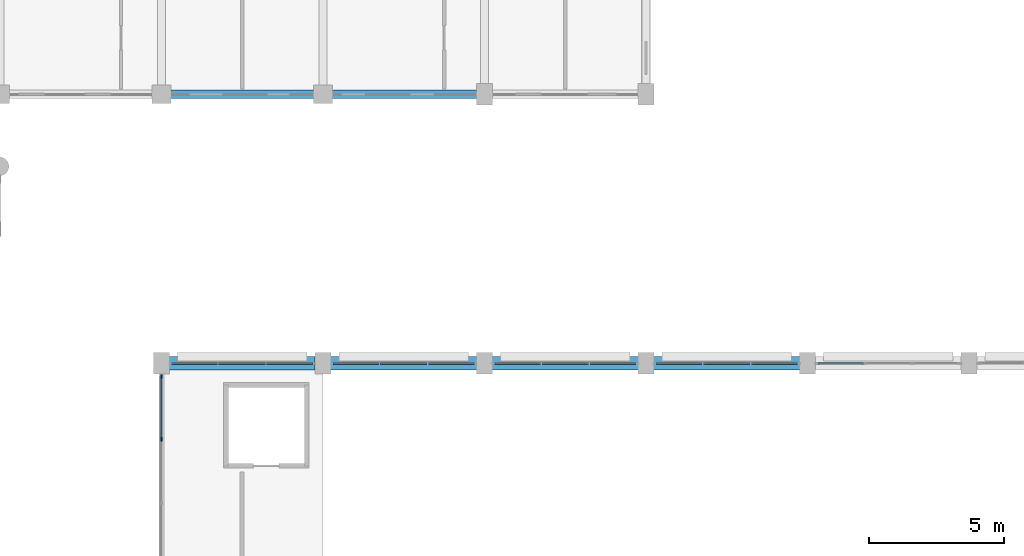
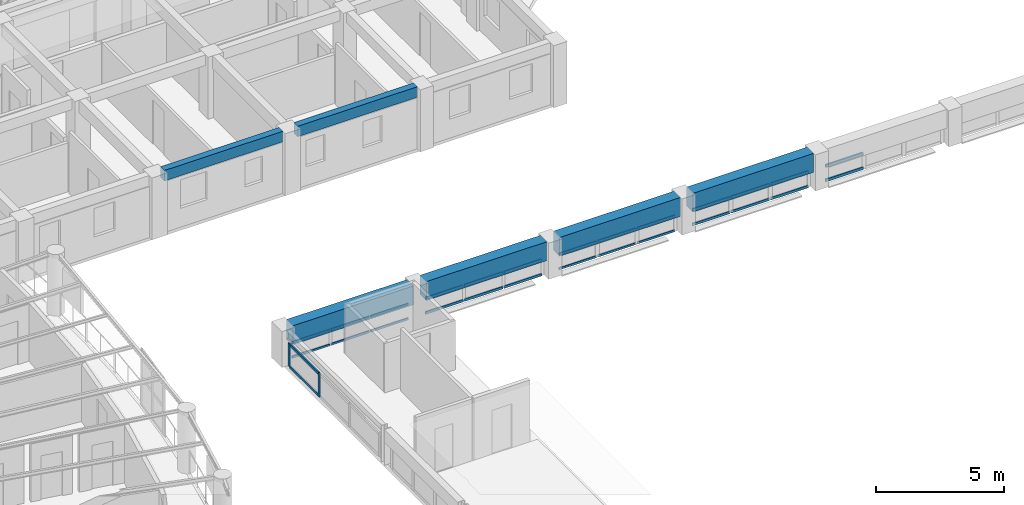
# One storey, part 43 of 137: 30 members, 6 beams, 6 elements without a shape of their own.
"""IFC4 building model written with IfcOpenShell, lengths in metres."""

from ifc_helpers import new_model, si_unit, direction, frame, origin, origin_2d, place, context, subcontext, project, spatial, rectangle, extrude, material, layer, layer_set, material_profile, profile_set, type_object, element, aggregate, save


model = new_model("IFC4")

# Units and contexts
model_context = context("Model", 3, precision=1e-05, world=origin(), true_north=direction((0.0, 1.0)))
body_context = subcontext(model_context, "Body", "Model", "MODEL_VIEW")
ifc_project = project(units=[si_unit("LENGTHUNIT", "METRE"), si_unit("AREAUNIT", "SQUARE_METRE"), si_unit("VOLUMEUNIT", "CUBIC_METRE"), si_unit("PLANEANGLEUNIT", "RADIAN"), si_unit("MASSUNIT", "GRAM", prefix="KILO"), si_unit("POWERUNIT", "WATT"), si_unit("THERMODYNAMICTEMPERATUREUNIT", "KELVIN")], contexts=[model_context])

# Site, building, storey
site_placement = place(None, origin())
site = spatial("IfcSite", under=ifc_project, at=site_placement, CompositionType="ELEMENT")
building_placement = place(site_placement, origin())
building = spatial("IfcBuilding", under=site, at=building_placement, Name="Ruvembo Vaulted Housing Court", CompositionType="ELEMENT")
storey_placement = place(building_placement, frame((0.0, 0.0, 4.5)))
storey = spatial("IfcBuildingStorey", under=building, at=storey_placement, Name="L01", CompositionType="ELEMENT", Elevation=4.5)

# Curtain wall, members
ifc_material_1 = material(Name="Anodised Aluminium and Solar-Control Glass", Category="aluminium")
ifc_layer_1 = layer(ifc_material_1, 0.179931640625, Name="Anodised Aluminium and Solar-Control Glass")
ifc_layer_set_1 = layer_set([ifc_layer_1], Name="Anodised Aluminium and Solar-Control Glass")
curtain_wall_type_1 = type_object("IfcCurtainWallType", Name="CW-HALL-TYMP", PredefinedType="NOTDEFINED", material=ifc_layer_set_1)
curtain_wall_1_placement = place(storey_placement, origin())
curtain_wall_1 = element("IfcCurtainWall", 1, at=curtain_wall_1_placement, inside=storey, type_object=curtain_wall_type_1, Name="L01 Curtain Wall CW-L01-0120", PredefinedType="NOTDEFINED")
ifc_material_2 = material(Name="Anodised Aluminium 6063-T6", Category="aluminium")
ifc_material_profile_1 = material_profile(ifc_material_2, rectangle(XDim=0.06005859375, YDim=0.139892578125, at=origin_2d()), Name="ALU 60x140")
ifc_profile_set_1 = profile_set([ifc_material_profile_1], Name="Anodised Aluminium 6063-T6")
member_type_1 = type_object("IfcMemberType", Name="CW-MUL-60x140", PredefinedType="MULLION", material=ifc_profile_set_1)
member_1_placement = place(storey_placement, frame((66.0, 65.183349609375, 0.0), z_axis=(0.0, 0.0, 1.0), x_axis=(-1.0, 0.0, 0.0)))
member_1 = element("IfcMember", 2, at=member_1_placement, type_object=member_type_1, Name="CW2 mullion 3", PredefinedType="MULLION", context=body_context, shape_type="SweptSolid", body=[
    extrude(rectangle(XDim=0.06005859375, YDim=0.139892578125, at=origin_2d()), origin(), (0.0, 0.0, 1.0), 1.10009765625),
])
member_2_placement = place(storey_placement, frame((66.0, 67.52001953125, 0.0), z_axis=(0.0, 0.0, 1.0), x_axis=(-1.0, 0.0, 0.0)))
member_2 = element("IfcMember", 3, at=member_2_placement, type_object=member_type_1, Name="CW2 mullion 4", PredefinedType="MULLION", context=body_context, shape_type="SweptSolid", body=[
    extrude(rectangle(XDim=0.06005859375, YDim=0.139892578125, at=origin_2d()), origin(), (0.0, 0.0, 1.0), 1.10009765625),
])

ifc_layer_2 = layer(ifc_material_1, 0.139892578125, Name="Anodised Aluminium and Solar-Control Glass")
ifc_layer_set_2 = layer_set([ifc_layer_2], Name="Anodised Aluminium and Solar-Control Glass")
curtain_wall_type_2 = type_object("IfcCurtainWallType", Name="CW-HALL-CLER", PredefinedType="NOTDEFINED", material=ifc_layer_set_2)
curtain_wall_2_placement = place(storey_placement, origin())
curtain_wall_2 = element("IfcCurtainWall", 4, at=curtain_wall_2_placement, inside=storey, type_object=curtain_wall_type_2, Name="L01 Curtain Wall CW-L01-0096", PredefinedType="NOTDEFINED")
ifc_material_profile_2 = material_profile(ifc_material_2, rectangle(XDim=0.06005859375, YDim=0.1201171875, at=origin_2d()), Name="ALU 60x120")
ifc_profile_set_2 = profile_set([ifc_material_profile_2], Name="Anodised Aluminium 6063-T6")
member_type_2 = type_object("IfcMemberType", Name="CW-TRANSOM-65x120", PredefinedType="USERDEFINED", material=ifc_profile_set_2)
member_3_placement = place(storey_placement, frame((72.385009765625, 68.0, 0.030029296875), z_axis=(1.0, 0.0, 0.0), x_axis=(0.0, 1.0, 0.0)))
member_3 = element("IfcMember", 5, at=member_3_placement, type_object=member_type_2, Name="CW7 transom 1.1", ObjectType="TRANSOM", PredefinedType="USERDEFINED", context=body_context, shape_type="SweptSolid", body=[
    extrude(rectangle(XDim=0.06005859375, YDim=0.1201171875, at=origin_2d()), origin(), (0.0, 0.0, 1.0), 1.693359375),
])
member_4_placement = place(storey_placement, frame((72.385009765625, 68.0, 0.719970703125), z_axis=(1.0, 0.0, 0.0), x_axis=(0.0, 1.0, 0.0)))
member_4 = element("IfcMember", 6, at=member_4_placement, type_object=member_type_2, Name="CW7 transom 1.2", ObjectType="TRANSOM", PredefinedType="USERDEFINED", context=body_context, shape_type="SweptSolid", body=[
    extrude(rectangle(XDim=0.06005859375, YDim=0.1201171875, at=origin_2d()), origin(), (0.0, 0.0, 1.0), 1.693359375),
])
member_5_placement = place(storey_placement, frame((74.138427734375, 68.0, 0.030029296875), z_axis=(1.0, 0.0, 0.0), x_axis=(0.0, 1.0, 0.0)))
member_5 = element("IfcMember", 7, at=member_5_placement, type_object=member_type_2, Name="CW7 transom 2.1", ObjectType="TRANSOM", PredefinedType="USERDEFINED", context=body_context, shape_type="SweptSolid", body=[
    extrude(rectangle(XDim=0.06005859375, YDim=0.1201171875, at=origin_2d()), origin(), (0.0, 0.0, 1.0), 1.72314453125),
])
member_6_placement = place(storey_placement, frame((74.138427734375, 68.0, 0.719970703125), z_axis=(1.0, 0.0, 0.0), x_axis=(0.0, 1.0, 0.0)))
member_6 = element("IfcMember", 8, at=member_6_placement, type_object=member_type_2, Name="CW7 transom 2.2", ObjectType="TRANSOM", PredefinedType="USERDEFINED", context=body_context, shape_type="SweptSolid", body=[
    extrude(rectangle(XDim=0.06005859375, YDim=0.1201171875, at=origin_2d()), origin(), (0.0, 0.0, 1.0), 1.72314453125),
])
member_7_placement = place(storey_placement, frame((75.921630859375, 68.0, 0.030029296875), z_axis=(1.0, 0.0, 0.0), x_axis=(0.0, 1.0, 0.0)))
member_7 = element("IfcMember", 9, at=member_7_placement, type_object=member_type_2, Name="CW7 transom 3.1", ObjectType="TRANSOM", PredefinedType="USERDEFINED", context=body_context, shape_type="SweptSolid", body=[
    extrude(rectangle(XDim=0.06005859375, YDim=0.1201171875, at=origin_2d()), origin(), (0.0, 0.0, 1.0), 1.693359375),
])
member_8_placement = place(storey_placement, frame((75.921630859375, 68.0, 0.719970703125), z_axis=(1.0, 0.0, 0.0), x_axis=(0.0, 1.0, 0.0)))
member_8 = element("IfcMember", 10, at=member_8_placement, type_object=member_type_2, Name="CW7 transom 3.2", ObjectType="TRANSOM", PredefinedType="USERDEFINED", context=body_context, shape_type="SweptSolid", body=[
    extrude(rectangle(XDim=0.06005859375, YDim=0.1201171875, at=origin_2d()), origin(), (0.0, 0.0, 1.0), 1.693359375),
])
aggregate(curtain_wall_2, [member_3, member_4, member_5, member_6, member_7, member_8])

curtain_wall_3_placement = place(storey_placement, origin())
curtain_wall_3 = element("IfcCurtainWall", 11, at=curtain_wall_3_placement, inside=storey, type_object=curtain_wall_type_2, Name="L01 Curtain Wall CW-L01-0102", PredefinedType="NOTDEFINED")
member_9_placement = place(storey_placement, frame((84.389892578125, 68.0, 0.030029296875), z_axis=(1.0, 0.0, 0.0), x_axis=(0.0, 1.0, 0.0)))
member_9 = element("IfcMember", 12, at=member_9_placement, type_object=member_type_2, Name="CW7 transom 1.1", ObjectType="TRANSOM", PredefinedType="USERDEFINED", context=body_context, shape_type="SweptSolid", body=[
    extrude(rectangle(XDim=0.06005859375, YDim=0.1201171875, at=origin_2d()), origin(), (0.0, 0.0, 1.0), 1.68603515625),
])
member_10_placement = place(storey_placement, frame((84.389892578125, 68.0, 0.719970703125), z_axis=(1.0, 0.0, 0.0), x_axis=(0.0, 1.0, 0.0)))
member_10 = element("IfcMember", 13, at=member_10_placement, type_object=member_type_2, Name="CW7 transom 1.2", ObjectType="TRANSOM", PredefinedType="USERDEFINED", context=body_context, shape_type="SweptSolid", body=[
    extrude(rectangle(XDim=0.06005859375, YDim=0.1201171875, at=origin_2d()), origin(), (0.0, 0.0, 1.0), 1.68603515625),
])
member_11_placement = place(storey_placement, frame((86.140869140625, 68.0, 0.030029296875), z_axis=(1.0, 0.0, 0.0), x_axis=(0.0, 1.0, 0.0)))
member_11 = element("IfcMember", 14, at=member_11_placement, type_object=member_type_2, Name="CW7 transom 2.1", ObjectType="TRANSOM", PredefinedType="USERDEFINED", context=body_context, shape_type="SweptSolid", body=[
    extrude(rectangle(XDim=0.06005859375, YDim=0.1201171875, at=origin_2d()), origin(), (0.0, 0.0, 1.0), 1.71826171875),
])
member_12_placement = place(storey_placement, frame((86.140869140625, 68.0, 0.719970703125), z_axis=(1.0, 0.0, 0.0), x_axis=(0.0, 1.0, 0.0)))
member_12 = element("IfcMember", 15, at=member_12_placement, type_object=member_type_2, Name="CW7 transom 2.2", ObjectType="TRANSOM", PredefinedType="USERDEFINED", context=body_context, shape_type="SweptSolid", body=[
    extrude(rectangle(XDim=0.06005859375, YDim=0.1201171875, at=origin_2d()), origin(), (0.0, 0.0, 1.0), 1.71826171875),
])
member_13_placement = place(storey_placement, frame((87.924072265625, 68.0, 0.030029296875), z_axis=(1.0, 0.0, 0.0), x_axis=(0.0, 1.0, 0.0)))
member_13 = element("IfcMember", 16, at=member_13_placement, type_object=member_type_2, Name="CW7 transom 3.1", ObjectType="TRANSOM", PredefinedType="USERDEFINED", context=body_context, shape_type="SweptSolid", body=[
    extrude(rectangle(XDim=0.06005859375, YDim=0.1201171875, at=origin_2d()), origin(), (0.0, 0.0, 1.0), 1.68603515625),
])
member_14_placement = place(storey_placement, frame((87.924072265625, 68.0, 0.719970703125), z_axis=(1.0, 0.0, 0.0), x_axis=(0.0, 1.0, 0.0)))
member_14 = element("IfcMember", 17, at=member_14_placement, type_object=member_type_2, Name="CW7 transom 3.2", ObjectType="TRANSOM", PredefinedType="USERDEFINED", context=body_context, shape_type="SweptSolid", body=[
    extrude(rectangle(XDim=0.06005859375, YDim=0.1201171875, at=origin_2d()), origin(), (0.0, 0.0, 1.0), 1.68603515625),
])
aggregate(curtain_wall_3, [member_9, member_10, member_11, member_12, member_13, member_14])

# Member
member_15_placement = place(storey_placement, frame((66.0, 65.21337890625, 0.030029296875), z_axis=(0.0, 1.0, 0.0), x_axis=(-1.0, 0.0, 0.0)))
member_15 = element("IfcMember", 18, at=member_15_placement, type_object=member_type_2, Name="CW2 transom 3.1", ObjectType="TRANSOM", PredefinedType="USERDEFINED", context=body_context, shape_type="SweptSolid", body=[
    extrude(rectangle(XDim=0.06005859375, YDim=0.1201171875, at=origin_2d()), origin(), (0.0, 0.0, 1.0), 2.276611328125),
])

member_16_placement = place(storey_placement, frame((66.0, 65.21337890625, 1.070068359375), z_axis=(0.0, 1.0, 0.0), x_axis=(-1.0, 0.0, 0.0)))
member_16 = element("IfcMember", 19, at=member_16_placement, type_object=member_type_2, Name="CW2 transom 3.2", ObjectType="TRANSOM", PredefinedType="USERDEFINED", context=body_context, shape_type="SweptSolid", body=[
    extrude(rectangle(XDim=0.06005859375, YDim=0.1201171875, at=origin_2d()), origin(), (0.0, 0.0, 1.0), 2.276611328125),
])

aggregate(curtain_wall_1, [member_1, member_2, member_15, member_16])

# Curtain wall, members
curtain_wall_4_placement = place(storey_placement, origin())
curtain_wall_4 = element("IfcCurtainWall", 20, at=curtain_wall_4_placement, inside=storey, type_object=curtain_wall_type_2, Name="L01 Curtain Wall CW-L01-0092", PredefinedType="NOTDEFINED")
ifc_material_profile_3 = material_profile(ifc_material_2, rectangle(XDim=0.06005859375, YDim=0.10009765625, at=origin_2d()), Name="ALU 60x100")
ifc_profile_set_3 = profile_set([ifc_material_profile_3], Name="Anodised Aluminium 6063-T6")
member_type_3 = type_object("IfcMemberType", Name="CW-TRN-60x100", PredefinedType="USERDEFINED", material=ifc_profile_set_3)
member_17_placement = place(storey_placement, frame((66.385009765625, 68.0, 0.030029296875), z_axis=(1.0, 0.0, 0.0), x_axis=(0.0, 1.0, 0.0)))
member_17 = element("IfcMember", 21, at=member_17_placement, type_object=member_type_3, Name="CW7 transom 1.1", ObjectType="TRANSOM", PredefinedType="USERDEFINED", context=body_context, shape_type="SweptSolid", body=[
    extrude(rectangle(XDim=0.06005859375, YDim=0.10009765625, at=origin_2d()), origin(), (0.0, 0.0, 1.0), 1.693359375),
])
member_18_placement = place(storey_placement, frame((66.385009765625, 68.0, 0.719970703125), z_axis=(1.0, 0.0, 0.0), x_axis=(0.0, 1.0, 0.0)))
member_18 = element("IfcMember", 22, at=member_18_placement, type_object=member_type_3, Name="CW7 transom 1.2", ObjectType="TRANSOM", PredefinedType="USERDEFINED", context=body_context, shape_type="SweptSolid", body=[
    extrude(rectangle(XDim=0.06005859375, YDim=0.10009765625, at=origin_2d()), origin(), (0.0, 0.0, 1.0), 1.693359375),
])
member_19_placement = place(storey_placement, frame((68.138427734375, 68.0, 0.030029296875), z_axis=(1.0, 0.0, 0.0), x_axis=(0.0, 1.0, 0.0)))
member_19 = element("IfcMember", 23, at=member_19_placement, type_object=member_type_3, Name="CW7 transom 2.1", ObjectType="TRANSOM", PredefinedType="USERDEFINED", context=body_context, shape_type="SweptSolid", body=[
    extrude(rectangle(XDim=0.06005859375, YDim=0.10009765625, at=origin_2d()), origin(), (0.0, 0.0, 1.0), 1.72314453125),
])
member_20_placement = place(storey_placement, frame((68.138427734375, 68.0, 0.719970703125), z_axis=(1.0, 0.0, 0.0), x_axis=(0.0, 1.0, 0.0)))
member_20 = element("IfcMember", 24, at=member_20_placement, type_object=member_type_3, Name="CW7 transom 2.2", ObjectType="TRANSOM", PredefinedType="USERDEFINED", context=body_context, shape_type="SweptSolid", body=[
    extrude(rectangle(XDim=0.06005859375, YDim=0.10009765625, at=origin_2d()), origin(), (0.0, 0.0, 1.0), 1.72314453125),
])
member_21_placement = place(storey_placement, frame((69.921630859375, 68.0, 0.030029296875), z_axis=(1.0, 0.0, 0.0), x_axis=(0.0, 1.0, 0.0)))
member_21 = element("IfcMember", 25, at=member_21_placement, type_object=member_type_3, Name="CW7 transom 3.1", ObjectType="TRANSOM", PredefinedType="USERDEFINED", context=body_context, shape_type="SweptSolid", body=[
    extrude(rectangle(XDim=0.06005859375, YDim=0.10009765625, at=origin_2d()), origin(), (0.0, 0.0, 1.0), 1.693359375),
])
member_22_placement = place(storey_placement, frame((69.921630859375, 68.0, 0.719970703125), z_axis=(1.0, 0.0, 0.0), x_axis=(0.0, 1.0, 0.0)))
member_22 = element("IfcMember", 26, at=member_22_placement, type_object=member_type_3, Name="CW7 transom 3.2", ObjectType="TRANSOM", PredefinedType="USERDEFINED", context=body_context, shape_type="SweptSolid", body=[
    extrude(rectangle(XDim=0.06005859375, YDim=0.10009765625, at=origin_2d()), origin(), (0.0, 0.0, 1.0), 1.693359375),
])
aggregate(curtain_wall_4, [member_17, member_18, member_19, member_20, member_21, member_22])

curtain_wall_5_placement = place(storey_placement, origin())
curtain_wall_5 = element("IfcCurtainWall", 27, at=curtain_wall_5_placement, inside=storey, type_object=curtain_wall_type_2, Name="L01 Curtain Wall CW-L01-0098", PredefinedType="NOTDEFINED")
member_23_placement = place(storey_placement, frame((78.389892578125, 68.0, 0.030029296875), z_axis=(1.0, 0.0, 0.0), x_axis=(0.0, 1.0, 0.0)))
member_23 = element("IfcMember", 28, at=member_23_placement, type_object=member_type_3, Name="CW7 transom 1.1", ObjectType="TRANSOM", PredefinedType="USERDEFINED", context=body_context, shape_type="SweptSolid", body=[
    extrude(rectangle(XDim=0.06005859375, YDim=0.10009765625, at=origin_2d()), origin(), (0.0, 0.0, 1.0), 1.68603515625),
])
member_24_placement = place(storey_placement, frame((78.389892578125, 68.0, 0.719970703125), z_axis=(1.0, 0.0, 0.0), x_axis=(0.0, 1.0, 0.0)))
member_24 = element("IfcMember", 29, at=member_24_placement, type_object=member_type_3, Name="CW7 transom 1.2", ObjectType="TRANSOM", PredefinedType="USERDEFINED", context=body_context, shape_type="SweptSolid", body=[
    extrude(rectangle(XDim=0.06005859375, YDim=0.10009765625, at=origin_2d()), origin(), (0.0, 0.0, 1.0), 1.68603515625),
])
member_25_placement = place(storey_placement, frame((80.140869140625, 68.0, 0.030029296875), z_axis=(1.0, 0.0, 0.0), x_axis=(0.0, 1.0, 0.0)))
member_25 = element("IfcMember", 30, at=member_25_placement, type_object=member_type_3, Name="CW7 transom 2.1", ObjectType="TRANSOM", PredefinedType="USERDEFINED", context=body_context, shape_type="SweptSolid", body=[
    extrude(rectangle(XDim=0.06005859375, YDim=0.10009765625, at=origin_2d()), origin(), (0.0, 0.0, 1.0), 1.71826171875),
])
member_26_placement = place(storey_placement, frame((80.140869140625, 68.0, 0.719970703125), z_axis=(1.0, 0.0, 0.0), x_axis=(0.0, 1.0, 0.0)))
member_26 = element("IfcMember", 31, at=member_26_placement, type_object=member_type_3, Name="CW7 transom 2.2", ObjectType="TRANSOM", PredefinedType="USERDEFINED", context=body_context, shape_type="SweptSolid", body=[
    extrude(rectangle(XDim=0.06005859375, YDim=0.10009765625, at=origin_2d()), origin(), (0.0, 0.0, 1.0), 1.71826171875),
])
member_27_placement = place(storey_placement, frame((81.924072265625, 68.0, 0.030029296875), z_axis=(1.0, 0.0, 0.0), x_axis=(0.0, 1.0, 0.0)))
member_27 = element("IfcMember", 32, at=member_27_placement, type_object=member_type_3, Name="CW7 transom 3.1", ObjectType="TRANSOM", PredefinedType="USERDEFINED", context=body_context, shape_type="SweptSolid", body=[
    extrude(rectangle(XDim=0.06005859375, YDim=0.10009765625, at=origin_2d()), origin(), (0.0, 0.0, 1.0), 1.68603515625),
])
member_28_placement = place(storey_placement, frame((81.924072265625, 68.0, 0.719970703125), z_axis=(1.0, 0.0, 0.0), x_axis=(0.0, 1.0, 0.0)))
member_28 = element("IfcMember", 33, at=member_28_placement, type_object=member_type_3, Name="CW7 transom 3.2", ObjectType="TRANSOM", PredefinedType="USERDEFINED", context=body_context, shape_type="SweptSolid", body=[
    extrude(rectangle(XDim=0.06005859375, YDim=0.10009765625, at=origin_2d()), origin(), (0.0, 0.0, 1.0), 1.68603515625),
])
aggregate(curtain_wall_5, [member_23, member_24, member_25, member_26, member_27, member_28])

curtain_wall_6_placement = place(storey_placement, origin())
curtain_wall_6 = element("IfcCurtainWall", 34, at=curtain_wall_6_placement, inside=storey, type_object=curtain_wall_type_2, Name="L01 Curtain Wall CW-L01-0106", PredefinedType="NOTDEFINED")
ifc_material_profile_4 = material_profile(ifc_material_2, rectangle(XDim=0.06494140625, YDim=0.135009765625, at=origin_2d()), Name="ALU 65x135")
ifc_profile_set_4 = profile_set([ifc_material_profile_4], Name="Anodised Aluminium 6063-T6")
member_type_4 = type_object("IfcMemberType", Name="CW-TRN-65x135", PredefinedType="USERDEFINED", material=ifc_profile_set_4)
member_29_placement = place(storey_placement, frame((90.389892578125, 68.0, 0.032470703125), z_axis=(1.0, 0.0, 0.0), x_axis=(0.0, 1.0, 0.0)))
member_29 = element("IfcMember", 35, at=member_29_placement, type_object=member_type_4, Name="CW7 transom 1.1", ObjectType="TRANSOM", PredefinedType="USERDEFINED", context=body_context, shape_type="SweptSolid", body=[
    extrude(rectangle(XDim=0.06494140625, YDim=0.135009765625, at=origin_2d()), origin(), (0.0, 0.0, 1.0), 1.68603515625),
])
member_30_placement = place(storey_placement, frame((90.389892578125, 68.0, 0.717529296875), z_axis=(1.0, 0.0, 0.0), x_axis=(0.0, 1.0, 0.0)))
member_30 = element("IfcMember", 36, at=member_30_placement, type_object=member_type_4, Name="CW7 transom 1.2", ObjectType="TRANSOM", PredefinedType="USERDEFINED", context=body_context, shape_type="SweptSolid", body=[
    extrude(rectangle(XDim=0.06494140625, YDim=0.135009765625, at=origin_2d()), origin(), (0.0, 0.0, 1.0), 1.68603515625),
])
aggregate(curtain_wall_6, [member_29, member_30])

# Beams
ifc_material_3 = material(Name="Concrete C35/45", Category="concrete")
ifc_material_profile_5 = material_profile(ifc_material_3, rectangle(XDim=0.300048828125, YDim=0.5, at=origin_2d()), Name="RC 300x500")
ifc_profile_set_5 = profile_set([ifc_material_profile_5], Name="Concrete C35/45")
beam_type_1 = type_object("IfcBeamType", Name="SP-RC-300x500", PredefinedType="SPANDREL", material=ifc_profile_set_5)
beam_1_placement = place(storey_placement, frame((66.3349609375, 78.0, 2.695068359375), z_axis=(1.0, 0.0, 0.0), x_axis=(0.0, 1.0, 0.0)))
element("IfcBeam", 37, at=beam_1_placement, inside=storey, type_object=beam_type_1, Name="L01 Grid Beam X #1237", PredefinedType="SPANDREL", context=body_context, shape_type="SweptSolid", body=[
    extrude(rectangle(XDim=0.300048828125, YDim=0.5, at=origin_2d()), origin(), (0.0, 0.0, 1.0), 5.330078125),
])
beam_2_placement = place(storey_placement, frame((72.3349609375, 78.0, 2.695068359375), z_axis=(1.0, 0.0, 0.0), x_axis=(0.0, 1.0, 0.0)))
element("IfcBeam", 38, at=beam_2_placement, inside=storey, type_object=beam_type_1, Name="L01 Grid Beam X #1238", PredefinedType="SPANDREL", context=body_context, shape_type="SweptSolid", body=[
    extrude(rectangle(XDim=0.300048828125, YDim=0.5, at=origin_2d()), origin(), (0.0, 0.0, 1.0), 5.380126953125),
])
ifc_material_profile_6 = material_profile(ifc_material_3, rectangle(XDim=0.5, YDim=0.89990234375, at=origin_2d()), Name="RC 500x900")
ifc_profile_set_6 = profile_set([ifc_material_profile_6], Name="Concrete C35/45")
beam_type_2 = type_object("IfcBeamType", Name="SP-RC-500x900", PredefinedType="SPANDREL", material=ifc_profile_set_6)
for number, where, z_axis, x_axis, name in (
    (39, (66.284912109375, 68.0, 1.25), (1.0, 0.0, 0.0), (0.0, 1.0, 0.0), "L01 Grid Beam X #1221"),
    (40, (72.284912109375, 68.0, 1.25), (1.0, 0.0, 0.0), (0.0, 1.0, 0.0), "L01 Grid Beam X #1222"),
    (41, (78.284912109375, 68.0, 1.25), (1.0, 0.0, 0.0), (0.0, 1.0, 0.0), "L01 Grid Beam X #1223"),
    (42, (84.284912109375, 68.0, 1.25), (1.0, 0.0, 0.0), (0.0, 1.0, 0.0), "L01 Grid Beam X #1224"),
):
    element("IfcBeam", number, at=place(storey_placement, frame(where, z_axis=z_axis, x_axis=x_axis)), inside=storey, type_object=beam_type_2, Name=name, PredefinedType="SPANDREL", context=body_context, shape_type="SweptSolid", body=[
        extrude(rectangle(XDim=0.5, YDim=0.89990234375, at=origin_2d()), origin(), (0.0, 0.0, 1.0), 5.43017578125),
    ])

save(model, "model.ifc")
